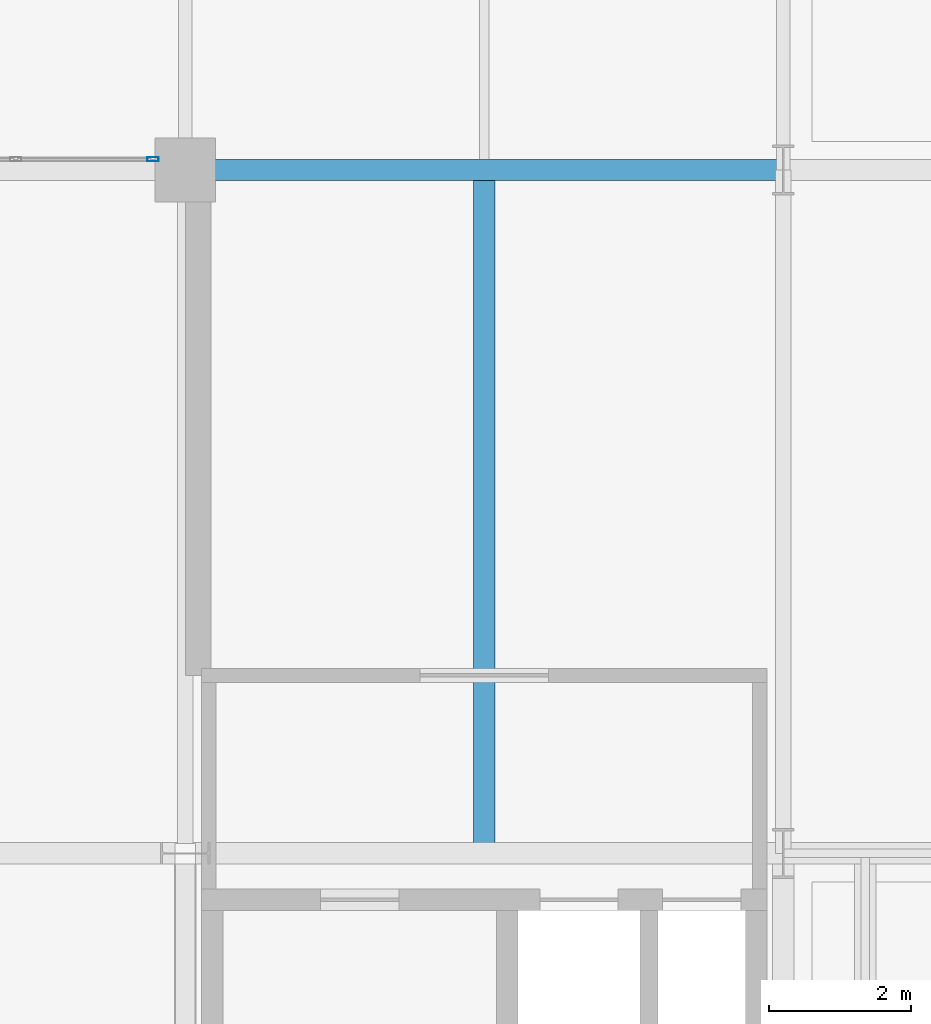
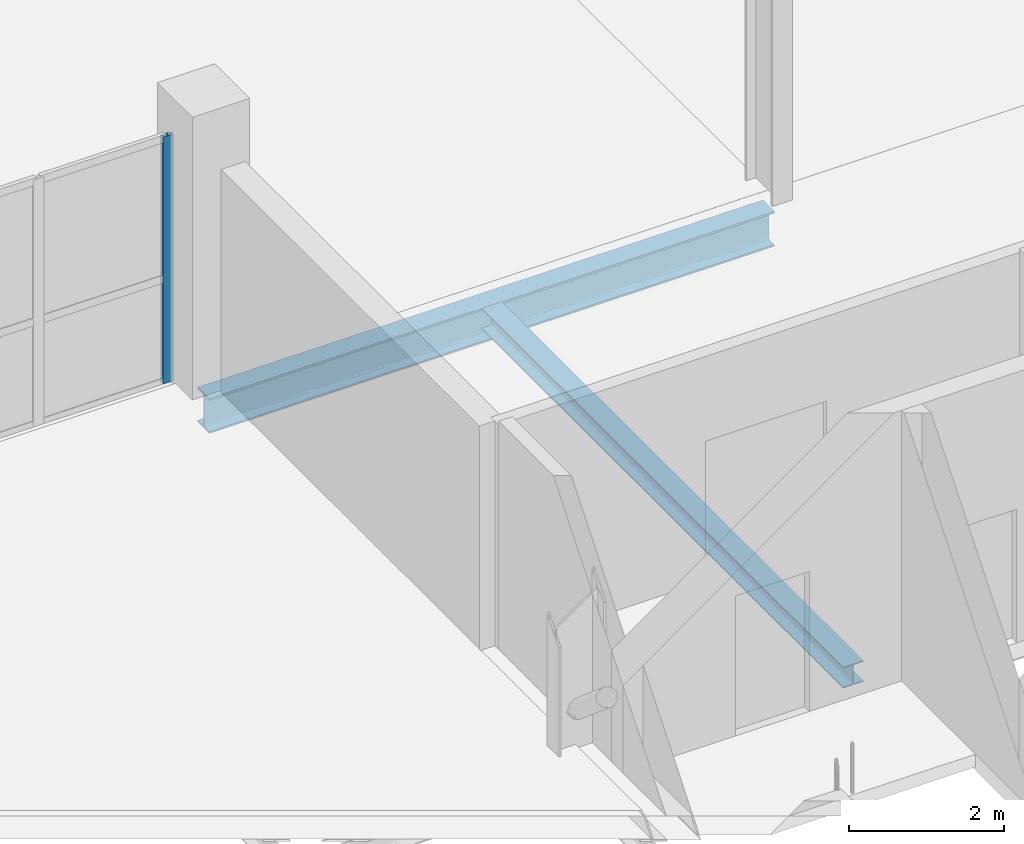
# One storey, part 15 of 113: 2 beams, 1 member, 1 element without a shape of its own.
"""IFC4 building model written with IfcOpenShell, lengths in metres."""

from ifc_helpers import new_model, si_unit, direction, frame, origin, origin_2d, place, context, subcontext, project, spatial, hollow_rectangle, i_section, extrude, material, material_profile, profile_set, type_object, element, aggregate, save


model = new_model("IFC4")

# Units and contexts
model_context = context("Model", 3, precision=1e-05, world=origin(), true_north=direction((0.0, 1.0)))
body_context = subcontext(model_context, "Body", "Model", "MODEL_VIEW")
ifc_project = project(units=[si_unit("LENGTHUNIT", "METRE"), si_unit("AREAUNIT", "SQUARE_METRE"), si_unit("VOLUMEUNIT", "CUBIC_METRE"), si_unit("PLANEANGLEUNIT", "RADIAN"), si_unit("MASSUNIT", "GRAM", prefix="KILO")], contexts=[model_context])

# Site, building, storey
site_placement = place(None, origin())
site = spatial("IfcSite", under=ifc_project, at=site_placement, CompositionType="ELEMENT")
building_placement = place(site_placement, origin())
building = spatial("IfcBuilding", under=site, at=building_placement, Name="Veltarok Museum of Natural Sciences", CompositionType="ELEMENT")
storey_placement = place(building_placement, frame((0.0, 0.0, 8.39990234375)))
storey = spatial("IfcBuildingStorey", under=building, at=storey_placement, Name="L01", CompositionType="ELEMENT", Elevation=8.39990234375)

# Curtain wall, member
ifc_material_1 = material(Name="Low-iron triple insulated glass", Category="glass")
curtain_wall_type = type_object("IfcCurtainWallType", Name="Curtain Wall System CW-PASS1-L01-0-782x388 (CW-PASS1 L01 782x388cm)", PredefinedType="NOTDEFINED", material=ifc_material_1)
curtain_wall_placement = place(storey_placement, origin())
curtain_wall = element("IfcCurtainWall", 1, at=curtain_wall_placement, inside=storey, type_object=curtain_wall_type, Name="Curtain Wall CW-PASS1-L01-0-782x388 CW-0212", PredefinedType="NOTDEFINED")
ifc_material_2 = material(Name="Thermally broken anodised aluminium", Category="aluminium")
ifc_material_profile_1 = material_profile(ifc_material_2, hollow_rectangle(XDim=0.06005859375, YDim=0.159912109375, WallThickness=0.0048828125, at=origin_2d()), Name="CW MULLION 60x160x5")
ifc_profile_set_1 = profile_set([ifc_material_profile_1], Name="Thermally broken anodised aluminium")
member_type = type_object("IfcMemberType", Name="Curtain Wall Vertical Mullion 60x160x5", PredefinedType="MULLION", material=ifc_profile_set_1)
member_placement = place(storey_placement, frame((31.14501953125, 19.35009765625, -0.001953125), z_axis=(0.0, 0.0, 1.0), x_axis=(0.0, -1.0, 0.0)))
member = element("IfcMember", 2, at=member_placement, type_object=member_type, Name="CW-PASS1-L01-0-782x388 mullion 1", PredefinedType="MULLION", context=body_context, shape_type="SweptSolid", body=[
    extrude(hollow_rectangle(XDim=0.06005859375, YDim=0.159912109375, WallThickness=0.0048828125, at=origin_2d()), origin(), (0.0, 0.0, 1.0), 3.882080078125),
])
aggregate(curtain_wall, [member])

# Beams
ifc_material_3 = material(Name="Steel S355J2", Category="steel")
ifc_material_profile_2 = material_profile(ifc_material_3, i_section(OverallWidth=0.300048828125, OverallDepth=0.330078125, WebThickness=0.009521484375, FlangeThickness=0.0166015625, FilletRadius=0.027099609375, at=origin_2d()), Name="HEA 340")
ifc_profile_set_2 = profile_set([ifc_material_profile_2], Name="Steel S355J2")
beam_type_1 = type_object("IfcBeamType", Name="Exhibition Floor Joist HEA 340", PredefinedType="JOIST", material=ifc_profile_set_2)
beam_1_placement = place(storey_placement, frame((35.800048828125, 9.748046875, -0.414794921875), z_axis=(0.0, 1.0, 0.0), x_axis=(-1.0, 0.0, 0.0)))
element("IfcBeam", 3, at=beam_1_placement, inside=storey, type_object=beam_type_1, Name="Secondary Joist BM-J08 L01 4-5/B-C.1", PredefinedType="JOIST", context=body_context, shape_type="SweptSolid", body=[
    extrude(i_section(OverallWidth=0.300048828125, OverallDepth=0.330078125, WebThickness=0.009521484375, FlangeThickness=0.0166015625, FilletRadius=0.027099609375, at=origin_2d()), origin(), (0.0, 0.0, 1.0), 9.303955078125),
])
ifc_material_profile_3 = material_profile(ifc_material_3, i_section(OverallWidth=0.300048828125, OverallDepth=0.550048828125, WebThickness=0.014892578125, FlangeThickness=0.029052734375, FilletRadius=0.027099609375, at=origin_2d()), Name="HEB 550")
ifc_profile_set_3 = profile_set([ifc_material_profile_3], Name="Steel S355J2")
beam_type_2 = type_object("IfcBeamType", Name="Gallery Girder HEB 550", PredefinedType="BEAM", material=ifc_profile_set_3)
beam_2_placement = place(storey_placement, frame((31.60009765625, 19.199951171875, -0.52490234375), z_axis=(1.0, 0.0, 0.0), x_axis=(0.0, 1.0, 0.0)))
element("IfcBeam", 4, at=beam_2_placement, inside=storey, type_object=beam_type_2, Name="Beam BM-G10 L01 4-5/C", PredefinedType="BEAM", context=body_context, shape_type="SweptSolid", body=[
    extrude(i_section(OverallWidth=0.300048828125, OverallDepth=0.550048828125, WebThickness=0.014892578125, FlangeThickness=0.029052734375, FilletRadius=0.027099609375, at=origin_2d()), origin(), (0.0, 0.0, 1.0), 8.39990234375),
])

save(model, "model.ifc")
